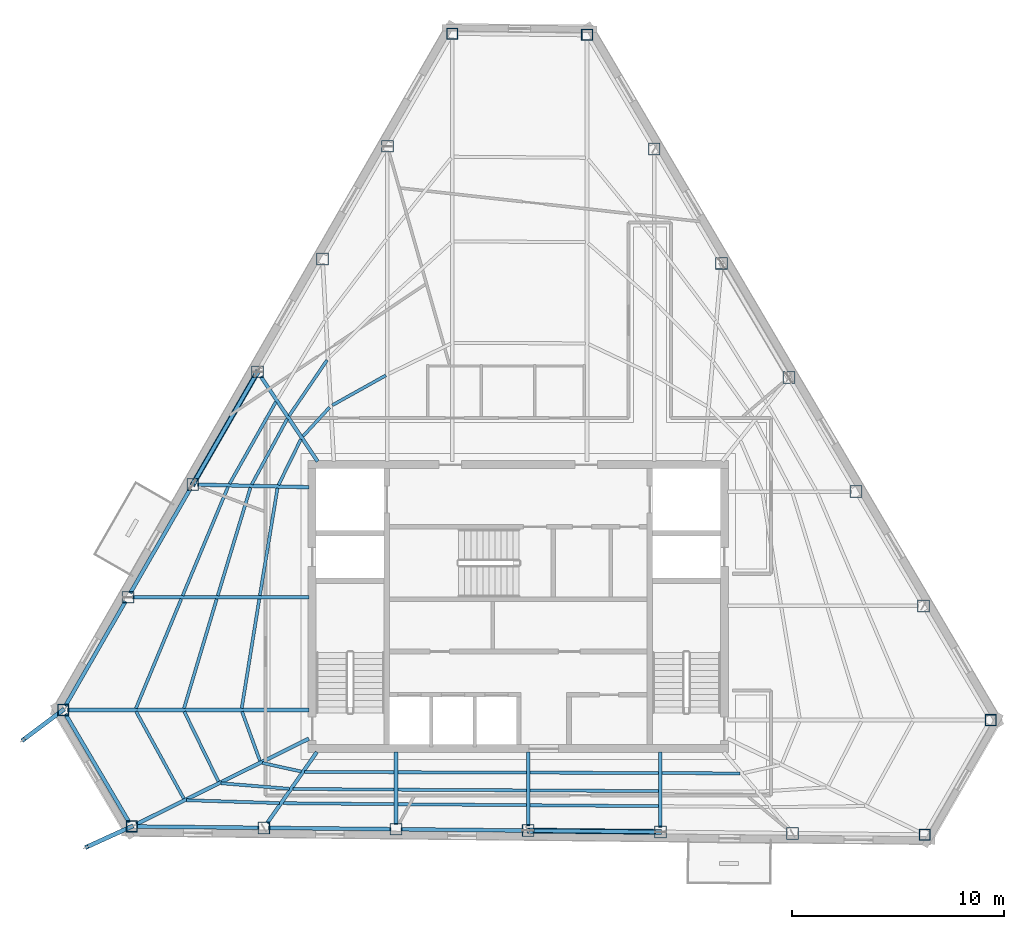
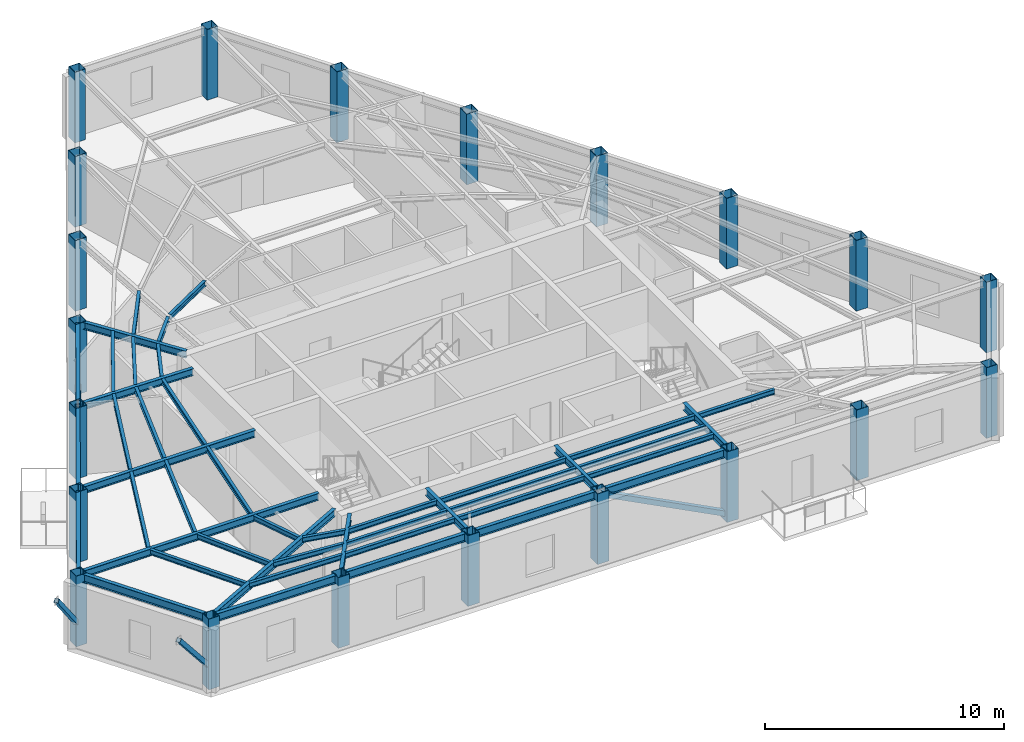
# One storey, part 1 of 11: 45 beams, 21 columns, 4 members.
"""IFC4 building model written with IfcOpenShell, lengths in metres."""

from ifc_helpers import new_model, si_unit, direction, frame, origin, origin_2d, place, context, subcontext, project, spatial, hollow_rectangle, i_section, extrude, material, material_profile, profile_set, type_object, element, save


model = new_model("IFC4")

# Units and contexts
model_context = context("Model", 3, precision=1e-05, world=origin(), true_north=direction((0.0, 1.0)))
body_context = subcontext(model_context, "Body", "Model", "MODEL_VIEW")
ifc_project = project(units=[si_unit("LENGTHUNIT", "METRE"), si_unit("AREAUNIT", "SQUARE_METRE"), si_unit("VOLUMEUNIT", "CUBIC_METRE"), si_unit("PLANEANGLEUNIT", "RADIAN"), si_unit("MASSUNIT", "GRAM", prefix="KILO")], contexts=[model_context])

# Site, building, storey
site_placement = place(None, origin())
site = spatial("IfcSite", under=ifc_project, at=site_placement, CompositionType="ELEMENT")
building_placement = place(site_placement, origin())
building = spatial("IfcBuilding", under=site, at=building_placement, Name="Kavelnor Concourse Tower", CompositionType="ELEMENT")
storey_placement = place(building_placement, frame((0.0, 0.0, 262.60009765625)))
storey = spatial("IfcBuildingStorey", under=building, at=storey_placement, Name="L66", CompositionType="ELEMENT", Elevation=262.60009765625)

# Columns
ifc_material = material(Name="Steel Grade 350", Category="steel")
ifc_material_profile_1 = material_profile(ifc_material, hollow_rectangle(XDim=0.52001953125, YDim=0.52001953125, WallThickness=0.02392578125, at=origin_2d()), Name="SHS 520x520x24")
ifc_profile_set_1 = profile_set([ifc_material_profile_1], Name="Steel Grade 350")
column_type_1 = type_object("IfcColumnType", Name="COL-FOLD-Z4", PredefinedType="COLUMN", material=ifc_profile_set_1)
for number, where, z_axis, x_axis, name in (
    (1, (34.88720703125, 43.099853515625, 0.0), (0.0, 0.0, 1.0), (1.0, 0.0, 0.0), "L66 Perimeter Corner-Fold Column F0-B0"),
    (2, (16.5517578125, 11.232421875, 0.0), (0.0, 0.0, 1.0), (1.0, 0.0, 0.0), "L66 Perimeter Corner-Fold Column F0-B6"),
    (3, (19.785400390625, 5.7451171875, 0.0), (0.0, 0.0, 1.0), (1.0, 0.0, 0.0), "L66 Perimeter Corner-Fold Column F1-B0"),
    (4, (57.145263671875, 5.35693359375, 0.0), (0.0, 0.0, 1.0), (1.0, 0.0, 0.0), "L66 Perimeter Corner-Fold Column F1-B6"),
    (5, (60.254638671875, 10.760986328125, 0.0), (0.0, 0.0, 1.0), (1.0, 0.0, 0.0), "L66 Perimeter Corner-Fold Column F2-B0"),
    (6, (41.237060546875, 43.03369140625, 0.0), (0.0, 0.0, 1.0), (1.0, 0.0, 0.0), "L66 Perimeter Corner-Fold Column F2-B6"),
):
    element("IfcColumn", number, at=place(storey_placement, frame(where, z_axis=z_axis, x_axis=x_axis)), inside=storey, type_object=column_type_1, Name=name, PredefinedType="COLUMN", context=body_context, shape_type="SweptSolid", body=[
        extrude(hollow_rectangle(XDim=0.52001953125, YDim=0.52001953125, WallThickness=0.02392578125, at=origin_2d()), origin(), (0.0, 0.0, 1.0), 3.60986328125),
    ])
ifc_material_profile_2 = material_profile(ifc_material, hollow_rectangle(XDim=0.56005859375, YDim=0.56005859375, WallThickness=0.02490234375, at=origin_2d()), Name="SHS 560x560x25")
ifc_profile_set_2 = profile_set([ifc_material_profile_2], Name="Steel Grade 350")
column_type_2 = type_object("IfcColumnType", Name="COL-TUBE-Z4", PredefinedType="COLUMN", material=ifc_profile_set_2)
for number, where, z_axis, x_axis, name in (
    (7, (31.831298828125, 37.78857421875, 0.0), (0.0, 0.0, 1.0), (1.0, 0.0, 0.0), "L66 Perimeter Framed-Tube Column F0-B1"),
    (8, (28.775390625, 32.477294921875, 0.0), (0.0, 0.0, 1.0), (1.0, 0.0, 0.0), "L66 Perimeter Framed-Tube Column F0-B2"),
    (9, (25.719482421875, 27.166015625, 0.0), (0.0, 0.0, 1.0), (1.0, 0.0, 0.0), "L66 Perimeter Framed-Tube Column F0-B3"),
    (10, (22.66357421875, 21.85498046875, 0.0), (0.0, 0.0, 1.0), (1.0, 0.0, 0.0), "L66 Perimeter Framed-Tube Column F0-B4"),
    (11, (19.607666015625, 16.543701171875, 0.0), (0.0, 0.0, 1.0), (1.0, 0.0, 0.0), "L66 Perimeter Framed-Tube Column F0-B5"),
    (12, (26.011962890625, 5.680419921875, 0.0), (0.0, 0.0, 1.0), (1.0, 0.0, 0.0), "L66 Perimeter Framed-Tube Column F1-B1"),
    (13, (32.238525390625, 5.61572265625, 0.0), (0.0, 0.0, 1.0), (1.0, 0.0, 0.0), "L66 Perimeter Framed-Tube Column F1-B2"),
    (14, (38.46533203125, 5.551025390625, 0.0), (0.0, 0.0, 1.0), (1.0, 0.0, 0.0), "L66 Perimeter Framed-Tube Column F1-B3"),
    (15, (44.69189453125, 5.486328125, 0.0), (0.0, 0.0, 1.0), (1.0, 0.0, 0.0), "L66 Perimeter Framed-Tube Column F1-B4"),
    (16, (50.918701171875, 5.421630859375, 0.0), (0.0, 0.0, 1.0), (1.0, 0.0, 0.0), "L66 Perimeter Framed-Tube Column F1-B5"),
    (17, (57.0849609375, 16.139892578125, 0.0), (0.0, 0.0, 1.0), (1.0, 0.0, 0.0), "L66 Perimeter Framed-Tube Column F2-B1"),
    (18, (53.915283203125, 21.5185546875, 0.0), (0.0, 0.0, 1.0), (1.0, 0.0, 0.0), "L66 Perimeter Framed-Tube Column F2-B2"),
    (19, (50.745849609375, 26.8974609375, 0.0), (0.0, 0.0, 1.0), (1.0, 0.0, 0.0), "L66 Perimeter Framed-Tube Column F2-B3"),
    (20, (47.576171875, 32.276123046875, 0.0), (0.0, 0.0, 1.0), (1.0, 0.0, 0.0), "L66 Perimeter Framed-Tube Column F2-B4"),
    (21, (44.406494140625, 37.655029296875, 0.0), (0.0, 0.0, 1.0), (1.0, 0.0, 0.0), "L66 Perimeter Framed-Tube Column F2-B5"),
):
    element("IfcColumn", number, at=place(storey_placement, frame(where, z_axis=z_axis, x_axis=x_axis)), inside=storey, type_object=column_type_2, Name=name, PredefinedType="COLUMN", context=body_context, shape_type="SweptSolid", body=[
        extrude(hollow_rectangle(XDim=0.56005859375, YDim=0.56005859375, WallThickness=0.02490234375, at=origin_2d()), origin(), (0.0, 0.0, 1.0), 3.60986328125),
    ])

# Beams
ifc_material_profile_3 = material_profile(ifc_material, i_section(OverallWidth=0.14599609375, OverallDepth=0.256103515625, WebThickness=0.00634765625, FlangeThickness=0.010986328125, at=origin_2d()), Name="250UB37")
ifc_profile_set_3 = profile_set([ifc_material_profile_3], Name="Steel Grade 350")
beam_type_1 = type_object("IfcBeamType", Name="BM-JOIST-250", PredefinedType="JOIST", material=ifc_profile_set_3)
beam_1_placement = place(storey_placement, frame((24.985107421875, 11.155517578125, 3.48193359375), z_axis=(0.342646750354, -0.939464317828, 0.0), x_axis=(0.939464317828, 0.342646750354, 0.0)))
element("IfcBeam", 22, at=beam_1_placement, inside=storey, type_object=beam_type_1, Name="L66 Secondary Composite Joist 01-1", PredefinedType="JOIST", context=body_context, shape_type="SweptSolid", body=[
    extrude(i_section(OverallWidth=0.14599609375, OverallDepth=0.256103515625, WebThickness=0.00634765625, FlangeThickness=0.010986328125, at=origin_2d()), origin(), (0.0, 0.0, 1.0), 2.472412109375),
])
beam_2_placement = place(storey_placement, frame((22.264404296875, 11.15869140625, 3.48193359375), z_axis=(0.438860296388, -0.898555307287, 0.0), x_axis=(0.898555307287, 0.438860296388, 0.0)))
element("IfcBeam", 23, at=beam_2_placement, inside=storey, type_object=beam_type_1, Name="L66 Secondary Composite Joist 01-2", PredefinedType="JOIST", context=body_context, shape_type="SweptSolid", body=[
    extrude(i_section(OverallWidth=0.14599609375, OverallDepth=0.256103515625, WebThickness=0.00634765625, FlangeThickness=0.010986328125, at=origin_2d()), origin(), (0.0, 0.0, 1.0), 3.667724609375),
])
beam_3_placement = place(storey_placement, frame((19.994384765625, 11.160400390625, 3.48193359375), z_axis=(0.480853305497, -0.876801059872, 0.0), x_axis=(0.876801059872, 0.480853305497, 0.0)))
element("IfcBeam", 24, at=beam_3_placement, inside=storey, type_object=beam_type_1, Name="L66 Secondary Composite Joist 01-3", PredefinedType="JOIST", context=body_context, shape_type="SweptSolid", body=[
    extrude(i_section(OverallWidth=0.14599609375, OverallDepth=0.256103515625, WebThickness=0.00634765625, FlangeThickness=0.010986328125, at=origin_2d()), origin(), (0.0, 0.0, 1.0), 4.68115234375),
])
beam_4_placement = place(storey_placement, frame((25.9404296875, 8.73828125, 3.48193359375), z_axis=(0.976507276969, -0.215484426413, 0.0), x_axis=(0.215484426413, 0.976507276969, 0.0)))
element("IfcBeam", 25, at=beam_4_placement, inside=storey, type_object=beam_type_1, Name="L66 Secondary Composite Joist 02-1", PredefinedType="JOIST", context=body_context, shape_type="SweptSolid", body=[
    extrude(i_section(OverallWidth=0.14599609375, OverallDepth=0.256103515625, WebThickness=0.00634765625, FlangeThickness=0.010986328125, at=origin_2d()), origin(), (0.0, 0.0, 1.0), 1.87744140625),
])
beam_5_placement = place(storey_placement, frame((23.991943359375, 7.78271484375, 3.48193359375), z_axis=(0.996687117189, -0.081331361906, 0.0), x_axis=(0.081331361906, 0.996687117189, 0.0)))
element("IfcBeam", 26, at=beam_5_placement, inside=storey, type_object=beam_type_1, Name="L66 Secondary Composite Joist 02-2", PredefinedType="JOIST", context=body_context, shape_type="SweptSolid", body=[
    extrude(i_section(OverallWidth=0.14599609375, OverallDepth=0.256103515625, WebThickness=0.00634765625, FlangeThickness=0.010986328125, at=origin_2d()), origin(), (0.0, 0.0, 1.0), 3.22998046875),
])
beam_6_placement = place(storey_placement, frame((22.36669921875, 6.9814453125, 3.48193359375), z_axis=(0.999526277258, -0.030776956827, 0.0), x_axis=(0.030776956827, 0.999526277258, 0.0)))
element("IfcBeam", 27, at=beam_6_placement, inside=storey, type_object=beam_type_1, Name="L66 Secondary Composite Joist 02-3", PredefinedType="JOIST", context=body_context, shape_type="SweptSolid", body=[
    extrude(i_section(OverallWidth=0.14599609375, OverallDepth=0.256103515625, WebThickness=0.00634765625, FlangeThickness=0.010986328125, at=origin_2d()), origin(), (0.0, 0.0, 1.0), 4.378662109375),
])
beam_7_placement = place(storey_placement, frame((27.935791015625, 8.31591796875, 3.48193359375), z_axis=(0.999994176545, -0.003412751991, 0.0), x_axis=(0.003412751991, 0.999994176545, 0.0)))
element("IfcBeam", 28, at=beam_7_placement, inside=storey, type_object=beam_type_1, Name="L66 Secondary Composite Joist 03-1", PredefinedType="JOIST", context=body_context, shape_type="SweptSolid", body=[
    extrude(i_section(OverallWidth=0.14599609375, OverallDepth=0.256103515625, WebThickness=0.00634765625, FlangeThickness=0.010986328125, at=origin_2d()), origin(), (0.0, 0.0, 1.0), 4.220703125),
])
beam_8_placement = place(storey_placement, frame((27.374755859375, 7.5126953125, 3.48193359375), z_axis=(0.999976596929, -0.006841461451, 0.0), x_axis=(0.006841461451, 0.999976596929, 0.0)))
element("IfcBeam", 29, at=beam_8_placement, inside=storey, type_object=beam_type_1, Name="L66 Secondary Composite Joist 03-2", PredefinedType="JOIST", context=body_context, shape_type="SweptSolid", body=[
    extrude(i_section(OverallWidth=0.14599609375, OverallDepth=0.256103515625, WebThickness=0.00634765625, FlangeThickness=0.010986328125, at=origin_2d()), origin(), (0.0, 0.0, 1.0), 4.78173828125),
])
beam_9_placement = place(storey_placement, frame((26.9072265625, 6.843505859375, 3.48193359375), z_axis=(0.999958028181, -0.00916197998, 0.0), x_axis=(0.00916197998, 0.999958028181, 0.0)))
element("IfcBeam", 30, at=beam_9_placement, inside=storey, type_object=beam_type_1, Name="L66 Secondary Composite Joist 03-3", PredefinedType="JOIST", context=body_context, shape_type="SweptSolid", body=[
    extrude(i_section(OverallWidth=0.14599609375, OverallDepth=0.256103515625, WebThickness=0.00634765625, FlangeThickness=0.010986328125, at=origin_2d()), origin(), (0.0, 0.0, 1.0), 5.24951171875),
])
for number, where, z_axis, x_axis, name in (
    (31, (32.320556640625, 8.301025390625, 3.48193359375), (0.999995679296, -0.002939624072, 0.0), (0.002939624072, 0.999995679296, 0.0), "L66 Secondary Composite Joist 04-1"),
    (32, (32.320556640625, 7.47900390625, 3.48193359375), (0.999985441664, -0.005395967027, 0.0), (0.005395967027, 0.999985441664, 0.0), "L66 Secondary Composite Joist 04-2"),
):
    element("IfcBeam", number, at=place(storey_placement, frame(where, z_axis=z_axis, x_axis=x_axis)), inside=storey, type_object=beam_type_1, Name=name, PredefinedType="JOIST", context=body_context, shape_type="SweptSolid", body=[
        extrude(i_section(OverallWidth=0.14599609375, OverallDepth=0.256103515625, WebThickness=0.00634765625, FlangeThickness=0.010986328125, at=origin_2d()), origin(), (0.0, 0.0, 1.0), 6.062744140625),
    ])
beam_10_placement = place(storey_placement, frame((32.320556640625, 6.7939453125, 3.48193359375), z_axis=(0.99997195088, -0.007489823334, 0.0), x_axis=(0.007489823334, 0.99997195088, 0.0)))
element("IfcBeam", 33, at=beam_10_placement, inside=storey, type_object=beam_type_1, Name="L66 Secondary Composite Joist 04-3", PredefinedType="JOIST", context=body_context, shape_type="SweptSolid", body=[
    extrude(i_section(OverallWidth=0.14599609375, OverallDepth=0.256103515625, WebThickness=0.00634765625, FlangeThickness=0.010986328125, at=origin_2d()), origin(), (0.0, 0.0, 1.0), 6.06298828125),
])
for number, where, z_axis, x_axis, name in (
    (34, (38.54736328125, 8.282958984375, 3.48193359375), (0.999995679296, -0.002939624072, 0.0), (0.002939624072, 0.999995679296, 0.0), "L66 Secondary Composite Joist 05-1"),
    (35, (38.54736328125, 7.4453125, 3.48193359375), (0.999985441664, -0.005395967027, 0.0), (0.005395967027, 0.999985441664, 0.0), "L66 Secondary Composite Joist 05-2"),
):
    element("IfcBeam", number, at=place(storey_placement, frame(where, z_axis=z_axis, x_axis=x_axis)), inside=storey, type_object=beam_type_1, Name=name, PredefinedType="JOIST", context=body_context, shape_type="SweptSolid", body=[
        extrude(i_section(OverallWidth=0.14599609375, OverallDepth=0.256103515625, WebThickness=0.00634765625, FlangeThickness=0.010986328125, at=origin_2d()), origin(), (0.0, 0.0, 1.0), 6.062744140625),
    ])
beam_11_placement = place(storey_placement, frame((38.54736328125, 6.747314453125, 3.48193359375), z_axis=(0.99997195088, -0.007489823334, 0.0), x_axis=(0.007489823334, 0.99997195088, 0.0)))
element("IfcBeam", 36, at=beam_11_placement, inside=storey, type_object=beam_type_1, Name="L66 Secondary Composite Joist 05-3", PredefinedType="JOIST", context=body_context, shape_type="SweptSolid", body=[
    extrude(i_section(OverallWidth=0.14599609375, OverallDepth=0.256103515625, WebThickness=0.00634765625, FlangeThickness=0.010986328125, at=origin_2d()), origin(), (0.0, 0.0, 1.0), 6.06298828125),
])
beam_12_placement = place(storey_placement, frame((44.77392578125, 8.264404296875, 3.48193359375), z_axis=(0.999983296434, -0.00577986625, 0.0), x_axis=(0.00577986625, 0.999983296434, 0.0)))
element("IfcBeam", 37, at=beam_12_placement, inside=storey, type_object=beam_type_1, Name="L66 Secondary Composite Joist 06-1", PredefinedType="JOIST", context=body_context, shape_type="SweptSolid", body=[
    extrude(i_section(OverallWidth=0.14599609375, OverallDepth=0.256103515625, WebThickness=0.00634765625, FlangeThickness=0.010986328125, at=origin_2d()), origin(), (0.0, 0.0, 1.0), 3.6748046875),
])
beam_13_placement = place(storey_placement, frame((31.759521484375, 26.99609375, 3.48193359375), z_axis=(-0.873415013856, -0.486976604746, 0.0), x_axis=(0.486976604746, -0.873415013856, 0.0)))
element("IfcBeam", 38, at=beam_13_placement, inside=storey, type_object=beam_type_1, Name="L66 Secondary Composite Joist 17-1", PredefinedType="JOIST", context=body_context, shape_type="SweptSolid", body=[
    extrude(i_section(OverallWidth=0.14599609375, OverallDepth=0.256103515625, WebThickness=0.00634765625, FlangeThickness=0.010986328125, at=origin_2d()), origin(), (0.0, 0.0, 1.0), 2.8896484375),
])
beam_14_placement = place(storey_placement, frame((29.1083984375, 25.488525390625, 3.48193359375), z_axis=(-0.677612600831, -0.735419039184, 0.0), x_axis=(0.735419039184, -0.677612600831, 0.0)))
element("IfcBeam", 39, at=beam_14_placement, inside=storey, type_object=beam_type_1, Name="L66 Secondary Composite Joist 18-1", PredefinedType="JOIST", context=body_context, shape_type="SweptSolid", body=[
    extrude(i_section(OverallWidth=0.14599609375, OverallDepth=0.256103515625, WebThickness=0.00634765625, FlangeThickness=0.010986328125, at=origin_2d()), origin(), (0.0, 0.0, 1.0), 1.85400390625),
])
beam_15_placement = place(storey_placement, frame((28.9921875, 27.71728515625, 3.48193359375), z_axis=(-0.563405922558, -0.826180226359, 0.0), x_axis=(0.826180226359, -0.563405922558, 0.0)))
element("IfcBeam", 40, at=beam_15_placement, inside=storey, type_object=beam_type_1, Name="L66 Secondary Composite Joist 18-2", PredefinedType="JOIST", context=body_context, shape_type="SweptSolid", body=[
    extrude(i_section(OverallWidth=0.14599609375, OverallDepth=0.256103515625, WebThickness=0.00634765625, FlangeThickness=0.010986328125, at=origin_2d()), origin(), (0.0, 0.0, 1.0), 3.179443359375),
])
beam_16_placement = place(storey_placement, frame((27.76025390625, 23.9912109375, 3.48193359375), z_axis=(-0.439996379317, -0.897999546875, 0.0), x_axis=(0.897999546875, -0.439996379317, 0.0)))
element("IfcBeam", 41, at=beam_16_placement, inside=storey, type_object=beam_type_1, Name="L66 Secondary Composite Joist 19-1", PredefinedType="JOIST", context=body_context, shape_type="SweptSolid", body=[
    extrude(i_section(OverallWidth=0.14599609375, OverallDepth=0.256103515625, WebThickness=0.00634765625, FlangeThickness=0.010986328125, at=origin_2d()), origin(), (0.0, 0.0, 1.0), 2.39990234375),
])
beam_17_placement = place(storey_placement, frame((27.11572265625, 24.95068359375, 3.48193359375), z_axis=(-0.475861810733, -0.87952006065, 0.0), x_axis=(0.87952006065, -0.475861810733, 0.0)))
element("IfcBeam", 42, at=beam_17_placement, inside=storey, type_object=beam_type_1, Name="L66 Secondary Composite Joist 19-2", PredefinedType="JOIST", context=body_context, shape_type="SweptSolid", body=[
    extrude(i_section(OverallWidth=0.14599609375, OverallDepth=0.256103515625, WebThickness=0.00634765625, FlangeThickness=0.010986328125, at=origin_2d()), origin(), (0.0, 0.0, 1.0), 3.509765625),
])
beam_18_placement = place(storey_placement, frame((26.57958984375, 25.75, 3.48193359375), z_axis=(-0.492146088713, -0.870512623323, 0.0), x_axis=(0.870512623323, -0.492146088713, 0.0)))
element("IfcBeam", 43, at=beam_18_placement, inside=storey, type_object=beam_type_1, Name="L66 Secondary Composite Joist 19-3", PredefinedType="JOIST", context=body_context, shape_type="SweptSolid", body=[
    extrude(i_section(OverallWidth=0.14599609375, OverallDepth=0.256103515625, WebThickness=0.00634765625, FlangeThickness=0.010986328125, at=origin_2d()), origin(), (0.0, 0.0, 1.0), 4.437255859375),
])
beam_19_placement = place(storey_placement, frame((26.65478515625, 21.681640625, 3.48193359375), z_axis=(-0.161787195896, -0.986825670138, 0.0), x_axis=(0.986825670138, -0.161787195896, 0.0)))
element("IfcBeam", 44, at=beam_19_placement, inside=storey, type_object=beam_type_1, Name="L66 Secondary Composite Joist 20-1", PredefinedType="JOIST", context=body_context, shape_type="SweptSolid", body=[
    extrude(i_section(OverallWidth=0.14599609375, OverallDepth=0.256103515625, WebThickness=0.00634765625, FlangeThickness=0.010986328125, at=origin_2d()), origin(), (0.0, 0.0, 1.0), 5.124755859375),
])
beam_20_placement = place(storey_placement, frame((25.3828125, 21.713134765625, 3.48193359375), z_axis=(-0.289793382375, -0.957089230705, 0.0), x_axis=(0.957089230705, -0.289793382375, 0.0)))
element("IfcBeam", 45, at=beam_20_placement, inside=storey, type_object=beam_type_1, Name="L66 Secondary Composite Joist 20-2", PredefinedType="JOIST", context=body_context, shape_type="SweptSolid", body=[
    extrude(i_section(OverallWidth=0.14599609375, OverallDepth=0.256103515625, WebThickness=0.00634765625, FlangeThickness=0.010986328125, at=origin_2d()), origin(), (0.0, 0.0, 1.0), 5.3193359375),
])
beam_21_placement = place(storey_placement, frame((24.32373046875, 21.740234375, 3.48193359375), z_axis=(-0.38511831556, -0.922867207685, 0.0), x_axis=(0.922867207685, -0.38511831556, 0.0)))
element("IfcBeam", 46, at=beam_21_placement, inside=storey, type_object=beam_type_1, Name="L66 Secondary Composite Joist 20-3", PredefinedType="JOIST", context=body_context, shape_type="SweptSolid", body=[
    extrude(i_section(OverallWidth=0.14599609375, OverallDepth=0.256103515625, WebThickness=0.00634765625, FlangeThickness=0.010986328125, at=origin_2d()), origin(), (0.0, 0.0, 1.0), 5.548828125),
])
beam_22_placement = place(storey_placement, frame((25.799560546875, 16.462646484375, 3.48193359375), z_axis=(-0.15906024601, -0.98726887834, 0.0), x_axis=(0.98726887834, -0.15906024601, 0.0)))
element("IfcBeam", 47, at=beam_22_placement, inside=storey, type_object=beam_type_1, Name="L66 Secondary Composite Joist 21-1", PredefinedType="JOIST", context=body_context, shape_type="SweptSolid", body=[
    extrude(i_section(OverallWidth=0.14599609375, OverallDepth=0.256103515625, WebThickness=0.00634765625, FlangeThickness=0.010986328125, at=origin_2d()), origin(), (0.0, 0.0, 1.0), 5.215576171875),
])
beam_23_placement = place(storey_placement, frame((23.7939453125, 16.465087890625, 3.48193359375), z_axis=(-0.286627534214, -0.958042095438, 0.0), x_axis=(0.958042095438, -0.286627534214, 0.0)))
element("IfcBeam", 48, at=beam_23_placement, inside=storey, type_object=beam_type_1, Name="L66 Secondary Composite Joist 21-2", PredefinedType="JOIST", context=body_context, shape_type="SweptSolid", body=[
    extrude(i_section(OverallWidth=0.14599609375, OverallDepth=0.256103515625, WebThickness=0.00634765625, FlangeThickness=0.010986328125, at=origin_2d()), origin(), (0.0, 0.0, 1.0), 5.3798828125),
])
beam_24_placement = place(storey_placement, frame((22.123779296875, 16.4677734375, 3.48193359375), z_axis=(-0.382758449803, -0.923848455703, 0.0), x_axis=(0.923848455703, -0.382758449803, 0.0)))
element("IfcBeam", 49, at=beam_24_placement, inside=storey, type_object=beam_type_1, Name="L66 Secondary Composite Joist 21-3", PredefinedType="JOIST", context=body_context, shape_type="SweptSolid", body=[
    extrude(i_section(OverallWidth=0.14599609375, OverallDepth=0.256103515625, WebThickness=0.00634765625, FlangeThickness=0.010986328125, at=origin_2d()), origin(), (0.0, 0.0, 1.0), 5.5849609375),
])
ifc_material_profile_4 = material_profile(ifc_material, i_section(OverallWidth=0.172119140625, OverallDepth=0.35888671875, WebThickness=0.008056640625, FlangeThickness=0.012939453125, at=origin_2d()), Name="360UB56")
ifc_profile_set_4 = profile_set([ifc_material_profile_4], Name="Steel Grade 350")
beam_type_2 = type_object("IfcBeamType", Name="BM-PRIMARY-360", PredefinedType="BEAM", material=ifc_profile_set_4)
beam_25_placement = place(storey_placement, frame((28.545166015625, 22.94677734375, 3.430419921875), z_axis=(-0.556457722361, 0.830875925289, 0.0), x_axis=(-0.830875925289, -0.556457722361, 0.0)))
element("IfcBeam", 50, at=beam_25_placement, inside=storey, type_object=beam_type_2, Name="L66 Primary Floor Girder F0-B3", PredefinedType="BEAM", context=body_context, shape_type="SweptSolid", body=[
    extrude(i_section(OverallWidth=0.172119140625, OverallDepth=0.35888671875, WebThickness=0.008056640625, FlangeThickness=0.012939453125, at=origin_2d()), origin(), (0.0, 0.0, 1.0), 4.80517578125),
])
beam_26_placement = place(storey_placement, frame((28.139892578125, 21.728515625, 3.430419921875), z_axis=(-0.999733669321, 0.023077920746, 0.0), x_axis=(-0.023077920746, -0.999733669321, 0.0)))
element("IfcBeam", 51, at=beam_26_placement, inside=storey, type_object=beam_type_2, Name="L66 Primary Floor Girder F0-B4", PredefinedType="BEAM", context=body_context, shape_type="SweptSolid", body=[
    extrude(i_section(OverallWidth=0.172119140625, OverallDepth=0.35888671875, WebThickness=0.008056640625, FlangeThickness=0.012939453125, at=origin_2d()), origin(), (0.0, 0.0, 1.0), 5.2578125),
])
beam_27_placement = place(storey_placement, frame((28.139892578125, 16.543701171875, 3.430419921875), z_axis=(-1.0, 0.0, 0.0), x_axis=(0.0, -1.0, 0.0)))
element("IfcBeam", 52, at=beam_27_placement, inside=storey, type_object=beam_type_2, Name="L66 Primary Floor Girder F0-B5", PredefinedType="BEAM", context=body_context, shape_type="SweptSolid", body=[
    extrude(i_section(OverallWidth=0.172119140625, OverallDepth=0.35888671875, WebThickness=0.008056640625, FlangeThickness=0.012939453125, at=origin_2d()), origin(), (0.0, 0.0, 1.0), 8.312255859375),
])
beam_28_placement = place(storey_placement, frame((28.139892578125, 11.232421875, 3.430419921875), z_axis=(-1.0, 0.0, 0.0), x_axis=(0.0, -1.0, 0.0)))
element("IfcBeam", 53, at=beam_28_placement, inside=storey, type_object=beam_type_2, Name="L66 Primary Floor Girder F0-B6", PredefinedType="BEAM", context=body_context, shape_type="SweptSolid", body=[
    extrude(i_section(OverallWidth=0.172119140625, OverallDepth=0.35888671875, WebThickness=0.008056640625, FlangeThickness=0.012939453125, at=origin_2d()), origin(), (0.0, 0.0, 1.0), 11.3681640625),
])
beam_29_placement = place(storey_placement, frame((28.1357421875, 9.88330078125, 3.430419921875), z_axis=(-0.896009790763, -0.444034294686, 0.0), x_axis=(0.444034294686, -0.896009790763, 0.0)))
element("IfcBeam", 54, at=beam_29_placement, inside=storey, type_object=beam_type_2, Name="L66 Primary Floor Girder F1-B0", PredefinedType="BEAM", context=body_context, shape_type="SweptSolid", body=[
    extrude(i_section(OverallWidth=0.172119140625, OverallDepth=0.35888671875, WebThickness=0.008056640625, FlangeThickness=0.012939453125, at=origin_2d()), origin(), (0.0, 0.0, 1.0), 9.0693359375),
])
beam_30_placement = place(storey_placement, frame((28.50830078125, 9.252685546875, 3.430419921875), z_axis=(-0.572791598786, -0.819701033524, 0.0), x_axis=(0.819701033524, -0.572791598786, 0.0)))
element("IfcBeam", 55, at=beam_30_placement, inside=storey, type_object=beam_type_2, Name="L66 Primary Floor Girder F1-B1", PredefinedType="BEAM", context=body_context, shape_type="SweptSolid", body=[
    extrude(i_section(OverallWidth=0.172119140625, OverallDepth=0.35888671875, WebThickness=0.008056640625, FlangeThickness=0.012939453125, at=origin_2d()), origin(), (0.0, 0.0, 1.0), 4.080810546875),
])
beam_31_placement = place(storey_placement, frame((32.238525390625, 9.260009765625, 3.430419921875), z_axis=(0.0, -1.0, 0.0), x_axis=(1.0, 0.0, 0.0)))
element("IfcBeam", 56, at=beam_31_placement, inside=storey, type_object=beam_type_2, Name="L66 Primary Floor Girder F1-B2", PredefinedType="BEAM", context=body_context, shape_type="SweptSolid", body=[
    extrude(i_section(OverallWidth=0.172119140625, OverallDepth=0.35888671875, WebThickness=0.008056640625, FlangeThickness=0.012939453125, at=origin_2d()), origin(), (0.0, 0.0, 1.0), 3.42431640625),
])
beam_32_placement = place(storey_placement, frame((38.46533203125, 9.260009765625, 3.430419921875), z_axis=(0.0, -1.0, 0.0), x_axis=(1.0, 0.0, 0.0)))
element("IfcBeam", 57, at=beam_32_placement, inside=storey, type_object=beam_type_2, Name="L66 Primary Floor Girder F1-B3", PredefinedType="BEAM", context=body_context, shape_type="SweptSolid", body=[
    extrude(i_section(OverallWidth=0.172119140625, OverallDepth=0.35888671875, WebThickness=0.008056640625, FlangeThickness=0.012939453125, at=origin_2d()), origin(), (0.0, 0.0, 1.0), 3.489013671875),
])
beam_33_placement = place(storey_placement, frame((44.69189453125, 9.260009765625, 3.430419921875), z_axis=(0.0, -1.0, 0.0), x_axis=(1.0, 0.0, 0.0)))
element("IfcBeam", 58, at=beam_33_placement, inside=storey, type_object=beam_type_2, Name="L66 Primary Floor Girder F1-B4", PredefinedType="BEAM", context=body_context, shape_type="SweptSolid", body=[
    extrude(i_section(OverallWidth=0.172119140625, OverallDepth=0.35888671875, WebThickness=0.008056640625, FlangeThickness=0.012939453125, at=origin_2d()), origin(), (0.0, 0.0, 1.0), 3.5537109375),
])
ifc_material_profile_5 = material_profile(ifc_material, i_section(OverallWidth=0.177978515625, OverallDepth=0.406005859375, WebThickness=0.0078125, FlangeThickness=0.0126953125, at=origin_2d()), Name="410UB59")
ifc_profile_set_5 = profile_set([ifc_material_profile_5], Name="Steel Grade 350")
beam_type_3 = type_object("IfcBeamType", Name="BM-SPANDREL-Z4", PredefinedType="SPANDREL", material=ifc_profile_set_5)
for number, where, z_axis, x_axis, name in (
    (59, (25.607177734375, 26.97119140625, 3.406982421875), (-0.498702157901, -0.866773417742, 0.0), (0.866773417742, -0.498702157901, 0.0), "L66 Perimeter Tube Spandrel Beam F0-B3"),
    (60, (22.55126953125, 21.659912109375, 3.406982421875), (-0.498702157901, -0.866773417742, 0.0), (0.866773417742, -0.498702157901, 0.0), "L66 Perimeter Tube Spandrel Beam F0-B4"),
):
    element("IfcBeam", number, at=place(storey_placement, frame(where, z_axis=z_axis, x_axis=x_axis)), inside=storey, type_object=beam_type_3, Name=name, PredefinedType="SPANDREL", context=body_context, shape_type="SweptSolid", body=[
        extrude(i_section(OverallWidth=0.177978515625, OverallDepth=0.406005859375, WebThickness=0.0078125, FlangeThickness=0.0126953125, at=origin_2d()), origin(), (0.0, 0.0, 1.0), 5.677734375),
    ])
beam_34_placement = place(storey_placement, frame((19.495361328125, 16.3486328125, 3.406982421875), z_axis=(-0.498720745294, -0.866762723133, 0.0), x_axis=(0.866762723133, -0.498720745294, 0.0)))
element("IfcBeam", 61, at=beam_34_placement, inside=storey, type_object=beam_type_3, Name="L66 Perimeter Tube Spandrel Beam F0-B5", PredefinedType="SPANDREL", context=body_context, shape_type="SweptSolid", body=[
    extrude(i_section(OverallWidth=0.177978515625, OverallDepth=0.406005859375, WebThickness=0.0078125, FlangeThickness=0.0126953125, at=origin_2d()), origin(), (0.0, 0.0, 1.0), 5.677490234375),
])
beam_35_placement = place(storey_placement, frame((20.01025390625, 5.742919921875, 3.406982421875), z_axis=(0.999945961646, -0.01039585439, 0.0), x_axis=(0.01039585439, 0.999945961646, 0.0)))
element("IfcBeam", 62, at=beam_35_placement, inside=storey, type_object=beam_type_3, Name="L66 Perimeter Tube Spandrel Beam F1-B0", PredefinedType="SPANDREL", context=body_context, shape_type="SweptSolid", body=[
    extrude(i_section(OverallWidth=0.177978515625, OverallDepth=0.406005859375, WebThickness=0.0078125, FlangeThickness=0.0126953125, at=origin_2d()), origin(), (0.0, 0.0, 1.0), 5.777099609375),
])
for number, where, z_axis, x_axis, name in (
    (63, (26.237060546875, 5.67822265625, 3.406982421875), (0.999945957078, -0.010396293709, 0.0), (0.010396293709, 0.999945957078, 0.0), "L66 Perimeter Tube Spandrel Beam F1-B1"),
    (64, (32.463623046875, 5.613525390625, 3.406982421875), (0.999945957078, -0.010396293709, 0.0), (0.010396293709, 0.999945957078, 0.0), "L66 Perimeter Tube Spandrel Beam F1-B2"),
):
    element("IfcBeam", number, at=place(storey_placement, frame(where, z_axis=z_axis, x_axis=x_axis)), inside=storey, type_object=beam_type_3, Name=name, PredefinedType="SPANDREL", context=body_context, shape_type="SweptSolid", body=[
        extrude(i_section(OverallWidth=0.177978515625, OverallDepth=0.406005859375, WebThickness=0.0078125, FlangeThickness=0.0126953125, at=origin_2d()), origin(), (0.0, 0.0, 1.0), 5.77685546875),
    ])
beam_36_placement = place(storey_placement, frame((38.690185546875, 5.548828125, 3.406982421875), z_axis=(0.999945961646, -0.01039585439, 0.0), x_axis=(0.01039585439, 0.999945961646, 0.0)))
element("IfcBeam", 65, at=beam_36_placement, inside=storey, type_object=beam_type_3, Name="L66 Perimeter Tube Spandrel Beam F1-B3", PredefinedType="SPANDREL", context=body_context, shape_type="SweptSolid", body=[
    extrude(i_section(OverallWidth=0.177978515625, OverallDepth=0.406005859375, WebThickness=0.0078125, FlangeThickness=0.0126953125, at=origin_2d()), origin(), (0.0, 0.0, 1.0), 5.777099609375),
])
beam_37_placement = place(storey_placement, frame((16.666015625, 11.03857421875, 3.406982421875), z_axis=(0.507692307692, -0.861538461538, 0.0), x_axis=(0.861538461538, 0.507692307692, 0.0)))
element("IfcBeam", 66, at=beam_37_placement, inside=storey, type_object=beam_type_3, Name="L66 Chamfer Facet Spandrel Beam C1", PredefinedType="SPANDREL", context=body_context, shape_type="SweptSolid", body=[
    extrude(i_section(OverallWidth=0.177978515625, OverallDepth=0.406005859375, WebThickness=0.0078125, FlangeThickness=0.0126953125, at=origin_2d()), origin(), (0.0, 0.0, 1.0), 5.919189453125),
])

# Members
ifc_material_profile_6 = material_profile(ifc_material, hollow_rectangle(XDim=0.199951171875, YDim=0.199951171875, WallThickness=0.011962890625, at=origin_2d()), Name="SHS 200x200x12")
ifc_profile_set_6 = profile_set([ifc_material_profile_6], Name="Steel Grade 350")
member_type_1 = type_object("IfcMemberType", Name="MBR-TERR-STRUT-200", PredefinedType="STRUT", material=ifc_profile_set_6)
member_1_placement = place(storey_placement, frame((16.5517578125, 11.232421875, 0.89990234375), z_axis=(-0.520237240429, -0.389804878846, 0.759871943224), x_axis=(0.599632665676, -0.800275369016, 0.0)))
element("IfcMember", 67, at=member_1_placement, inside=storey, type_object=member_type_1, Name="L66 Spiral Terrace Raking Knee Strut C1-A", PredefinedType="STRUT", context=body_context, shape_type="SweptSolid", body=[
    extrude(hollow_rectangle(XDim=0.199951171875, YDim=0.199951171875, WallThickness=0.011962890625, at=origin_2d()), origin(), (0.0, 0.0, 1.0), 3.599365234375),
])
member_2_placement = place(storey_placement, frame((19.785400390625, 5.7451171875, 0.89990234375), z_axis=(-0.589484830263, -0.268905709768, 0.761706868909), x_axis=(0.415028038801, -0.909808621089, 0.0)))
element("IfcMember", 68, at=member_2_placement, inside=storey, type_object=member_type_1, Name="L66 Spiral Terrace Raking Knee Strut C1-B", PredefinedType="STRUT", context=body_context, shape_type="SweptSolid", body=[
    extrude(hollow_rectangle(XDim=0.199951171875, YDim=0.199951171875, WallThickness=0.011962890625, at=origin_2d()), origin(), (0.0, 0.0, 1.0), 3.5908203125),
])
ifc_material_profile_7 = material_profile(ifc_material, hollow_rectangle(XDim=0.25, YDim=0.25, WallThickness=0.01611328125, at=origin_2d()), Name="SHS 250x250x16")
ifc_profile_set_7 = profile_set([ifc_material_profile_7], Name="Steel Grade 350")
member_type_2 = type_object("IfcMemberType", Name="MBR-TUBE-DIAG-Z4", PredefinedType="BRACE", material=ifc_profile_set_7)
member_3_placement = place(storey_placement, frame((25.719482421875, 27.166015625, 0.219970703125), z_axis=(-0.442454650539, -0.768966882467, 0.461436686757), x_axis=(0.86676077752, -0.4987241267, 0.0)))
element("IfcMember", 69, at=member_3_placement, inside=storey, type_object=member_type_2, Name="L66 Framed-Tube Bracing Diagonal F0-B3", PredefinedType="BRACE", context=body_context, shape_type="SweptSolid", body=[
    extrude(hollow_rectangle(XDim=0.25, YDim=0.25, WallThickness=0.01611328125, at=origin_2d()), origin(), (0.0, 0.0, 1.0), 6.90673828125),
])
member_4_placement = place(storey_placement, frame((44.69189453125, 5.486328125, 0.219970703125), z_axis=(-0.890133058008, 0.009248951552, 0.455606843602), x_axis=(-0.010389966125, -0.999946022845, 0.0)))
element("IfcMember", 70, at=member_4_placement, inside=storey, type_object=member_type_2, Name="L66 Framed-Tube Bracing Diagonal F1-B3", PredefinedType="BRACE", context=body_context, shape_type="SweptSolid", body=[
    extrude(hollow_rectangle(XDim=0.25, YDim=0.25, WallThickness=0.01611328125, at=origin_2d()), origin(), (0.0, 0.0, 1.0), 6.9951171875),
])

save(model, "model.ifc")
